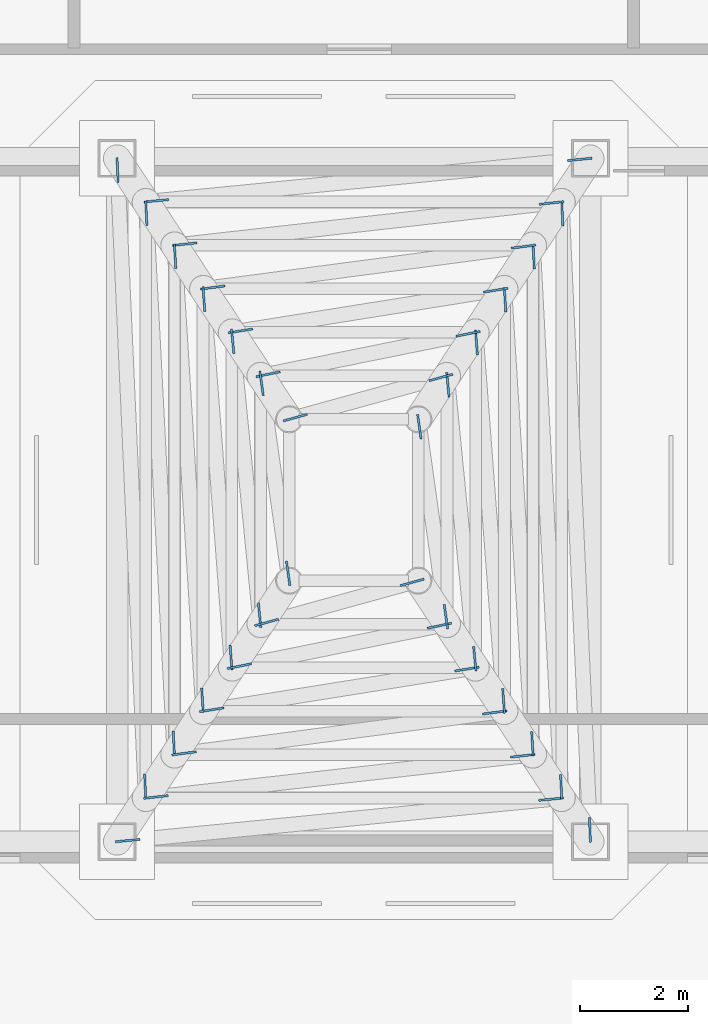
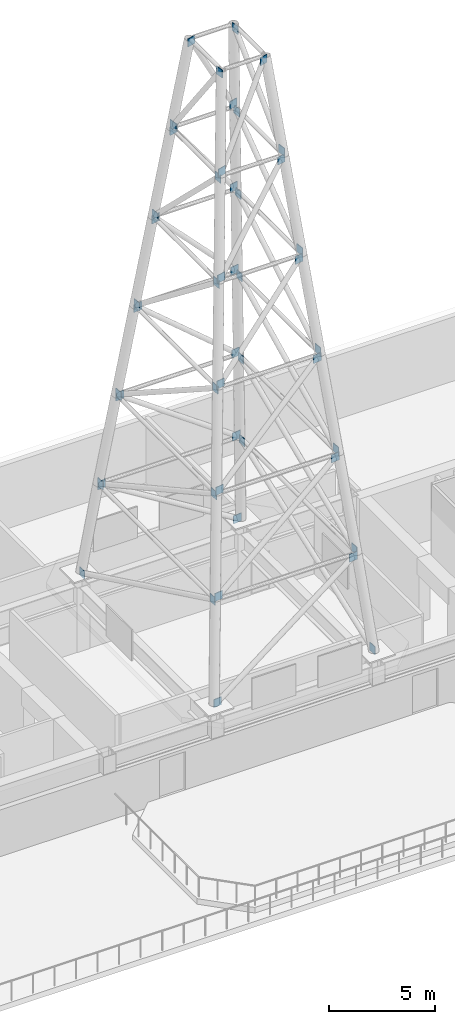
# One storey, part 5 of 7: 48 discrete accessories.
"""IFC4 building model written with IfcOpenShell, lengths in metres."""

from ifc_helpers import new_model, si_unit, direction, frame, origin, origin_2d, place, context, subcontext, project, spatial, rectangle, extrude, material, type_object, element, save


model = new_model("IFC4")

# Units and contexts
model_context = context("Model", 3, precision=1e-05, world=origin(), true_north=direction((0.0, 1.0)))
body_context = subcontext(model_context, "Body", "Model", "MODEL_VIEW")
ifc_project = project(units=[si_unit("LENGTHUNIT", "METRE"), si_unit("AREAUNIT", "SQUARE_METRE"), si_unit("VOLUMEUNIT", "CUBIC_METRE"), si_unit("PLANEANGLEUNIT", "RADIAN"), si_unit("MASSUNIT", "GRAM", prefix="KILO")], contexts=[model_context])

# Site, building, storey
site_placement = place(None, origin())
site = spatial("IfcSite", under=ifc_project, at=site_placement, CompositionType="ELEMENT")
building_placement = place(site_placement, origin())
building = spatial("IfcBuilding", under=site, at=building_placement, Name="Tavrogorsk Clinical Tower", CompositionType="ELEMENT")
storey_placement = place(building_placement, frame((0.0, 0.0, 357.0)))
storey = spatial("IfcBuildingStorey", under=building, at=storey_placement, Name="L83", CompositionType="ELEMENT", Elevation=357.0)

# Discrete accessories
ifc_material = material(Name="Structural steel S440", Category="steel")
discrete_accessory_type = type_object("IfcDiscreteAccessoryType", Name="GussetPlateBracket_25", PredefinedType="BRACKET", material=ifc_material)
for number, where, z_axis, x_axis, name in (
    (1, (-4.2001953125, -6.33056640625, 4.20166015625), (0.0, 0.0, 1.0), (0.995261402206, 0.097235493922, 0.0), "L83 Brace Gusset Plate MAST-T1-F1-A"),
    (2, (3.6669921875, -5.561279296875, 9.3818359375), (0.0, 0.0, 1.0), (0.995261402206, 0.097235493922, 0.0), "L83 Brace Gusset Plate MAST-T1-F1-B"),
    (3, (4.39013671875, -6.132080078125, 4.169921875), (0.0, 0.0, 1.0), (-0.044839922168, 0.998994184858, 0.0), "L83 Brace Gusset Plate MAST-T1-F2-A"),
    (4, (3.87646484375, 5.32373046875, 9.41357421875), (0.0, 0.0, 1.0), (-0.044839922168, 0.998994184858, 0.0), "L83 Brace Gusset Plate MAST-T1-F2-B"),
    (5, (4.2001953125, 6.33056640625, 4.20166015625), (0.0, 0.0, 1.0), (-0.995261402206, -0.097235493922, 0.0), "L83 Brace Gusset Plate MAST-T1-F3-A"),
    (6, (-3.6669921875, 5.561279296875, 9.3818359375), (0.0, 0.0, 1.0), (-0.995261402206, -0.097235493922, 0.0), "L83 Brace Gusset Plate MAST-T1-F3-B"),
    (7, (-4.39013671875, 6.132080078125, 4.169921875), (0.0, 0.0, 1.0), (0.044839922168, -0.998994184858, 0.0), "L83 Brace Gusset Plate MAST-T1-F4-A"),
    (8, (-3.87646484375, -5.32373046875, 9.41357421875), (0.0, 0.0, 1.0), (0.044839922168, -0.998994184858, 0.0), "L83 Brace Gusset Plate MAST-T1-F4-B"),
    (9, (-3.676025390625, -5.520263671875, 9.657470703125), (0.0, 0.0, 1.0), (0.993748449026, 0.11164237573, 0.0), "L83 Brace Gusset Plate MAST-T2-F1-A"),
    (10, (3.142578125, -4.754638671875, 14.8125), (0.0, 0.0, 1.0), (0.993748449026, 0.11164237573, 0.0), "L83 Brace Gusset Plate MAST-T2-F1-B"),
    (11, (3.855712890625, -5.329833984375, 9.62548828125), (0.0, 0.0, 1.0), (-0.051813067891, 0.998656800906, 0.0), "L83 Brace Gusset Plate MAST-T2-F2-A"),
    (12, (3.34423828125, 4.521484375, 14.844482421875), (0.0, 0.0, 1.0), (-0.051813067891, 0.998656800906, 0.0), "L83 Brace Gusset Plate MAST-T2-F2-B"),
    (13, (3.676025390625, 5.520263671875, 9.657470703125), (0.0, 0.0, 1.0), (-0.993748449026, -0.11164237573, 0.0), "L83 Brace Gusset Plate MAST-T2-F3-A"),
    (14, (-3.142578125, 4.754638671875, 14.8125), (0.0, 0.0, 1.0), (-0.993748449026, -0.11164237573, 0.0), "L83 Brace Gusset Plate MAST-T2-F3-B"),
    (15, (-3.855712890625, 5.329833984375, 9.62548828125), (0.0, 0.0, 1.0), (0.051813067891, -0.998656800906, 0.0), "L83 Brace Gusset Plate MAST-T2-F4-A"),
    (16, (-3.34423828125, -4.521484375, 14.844482421875), (0.0, 0.0, 1.0), (0.051813067891, -0.998656800906, 0.0), "L83 Brace Gusset Plate MAST-T2-F4-B"),
    (17, (-3.154541015625, -4.709716796875, 15.115234375), (0.0, 0.0, 1.0), (0.991422065155, 0.130699230003, 0.0), "L83 Brace Gusset Plate MAST-T3-F1-A"),
    (18, (2.621337890625, -3.948486328125, 20.241455078125), (0.0, 0.0, 1.0), (0.991422065155, 0.130699230003, 0.0), "L83 Brace Gusset Plate MAST-T3-F1-B"),
    (19, (3.32080078125, -4.5302734375, 15.084228515625), (0.0, 0.0, 1.0), (-0.061396950581, 0.998113427652, 0.0), "L83 Brace Gusset Plate MAST-T3-F2-A"),
    (20, (2.8125, 3.72216796875, 20.2724609375), (0.0, 0.0, 1.0), (-0.061396950581, 0.998113427652, 0.0), "L83 Brace Gusset Plate MAST-T3-F2-B"),
    (21, (3.154541015625, 4.709716796875, 15.115234375), (0.0, 0.0, 1.0), (-0.991422065155, -0.130699230003, 0.0), "L83 Brace Gusset Plate MAST-T3-F3-A"),
    (22, (-2.621337890625, 3.948486328125, 20.241455078125), (0.0, 0.0, 1.0), (-0.991422065155, -0.130699230003, 0.0), "L83 Brace Gusset Plate MAST-T3-F3-B"),
    (23, (-3.32080078125, 4.5302734375, 15.084228515625), (0.0, 0.0, 1.0), (0.061396950581, -0.998113427652, 0.0), "L83 Brace Gusset Plate MAST-T3-F4-A"),
    (24, (-2.8125, -3.72216796875, 20.2724609375), (0.0, 0.0, 1.0), (0.061396950581, -0.998113427652, 0.0), "L83 Brace Gusset Plate MAST-T3-F4-B"),
    (25, (-2.637451171875, -3.899169921875, 20.57470703125), (0.0, 0.0, 1.0), (0.987523981276, 0.157468683888, 0.0), "L83 Brace Gusset Plate MAST-T4-F1-A"),
    (26, (2.104248046875, -3.142578125, 25.668701171875), (0.0, 0.0, 1.0), (0.987523981276, 0.157468683888, 0.0), "L83 Brace Gusset Plate MAST-T4-F1-B"),
    (27, (2.78564453125, -3.7353515625, 20.546630859375), (0.0, 0.0, 1.0), (-0.07550084144, 0.997145738065, 0.0), "L83 Brace Gusset Plate MAST-T4-F2-A"),
    (28, (2.281005859375, 2.92724609375, 25.69677734375), (0.0, 0.0, 1.0), (-0.07550084144, 0.997145738065, 0.0), "L83 Brace Gusset Plate MAST-T4-F2-B"),
    (29, (2.637451171875, 3.899169921875, 20.57470703125), (0.0, 0.0, 1.0), (-0.987523981276, -0.157468683888, 0.0), "L83 Brace Gusset Plate MAST-T4-F3-A"),
    (30, (-2.104248046875, 3.142578125, 25.668701171875), (0.0, 0.0, 1.0), (-0.987523981276, -0.157468683888, 0.0), "L83 Brace Gusset Plate MAST-T4-F3-B"),
    (31, (-2.78564453125, 3.7353515625, 20.546630859375), (0.0, 0.0, 1.0), (0.07550084144, -0.997145738065, 0.0), "L83 Brace Gusset Plate MAST-T4-F4-A"),
    (32, (-2.281005859375, -2.92724609375, 25.69677734375), (0.0, 0.0, 1.0), (0.07550084144, -0.997145738065, 0.0), "L83 Brace Gusset Plate MAST-T4-F4-B"),
    (33, (-2.12548828125, -3.088134765625, 26.035400390625), (0.0, 0.0, 1.0), (0.980167547112, 0.198170582048, 0.0), "L83 Brace Gusset Plate MAST-T5-F1-A"),
    (34, (1.59228515625, -2.3369140625, 31.0947265625), (0.0, 0.0, 1.0), (0.980167547112, 0.198170582048, 0.0), "L83 Brace Gusset Plate MAST-T5-F1-B"),
    (35, (2.25, -2.94775390625, 26.012939453125), (0.0, 0.0, 1.0), (-0.097930293706, 0.995193276492, 0.0), "L83 Brace Gusset Plate MAST-T5-F2-A"),
    (36, (1.75, 2.139404296875, 31.1171875), (0.0, 0.0, 1.0), (-0.097930293706, 0.995193276492, 0.0), "L83 Brace Gusset Plate MAST-T5-F2-B"),
    (37, (2.12548828125, 3.088134765625, 26.035400390625), (0.0, 0.0, 1.0), (-0.980167547112, -0.198170582048, 0.0), "L83 Brace Gusset Plate MAST-T5-F3-A"),
    (38, (-1.59228515625, 2.3369140625, 31.0947265625), (0.0, 0.0, 1.0), (-0.980167547112, -0.198170582048, 0.0), "L83 Brace Gusset Plate MAST-T5-F3-B"),
    (39, (-2.25, 2.94775390625, 26.012939453125), (0.0, 0.0, 1.0), (0.097930293706, -0.995193276492, 0.0), "L83 Brace Gusset Plate MAST-T5-F4-A"),
    (40, (-1.75, -2.139404296875, 31.1171875), (0.0, 0.0, 1.0), (0.097930293706, -0.995193276492, 0.0), "L83 Brace Gusset Plate MAST-T5-F4-B"),
    (41, (-1.620361328125, -2.277099609375, 31.49609375), (0.0, 0.0, 1.0), (0.964049041264, 0.265724379832, 0.0), "L83 Brace Gusset Plate MAST-T6-F1-A"),
    (42, (1.087158203125, -1.531005859375, 36.5205078125), (0.0, 0.0, 1.0), (0.964049041264, 0.265724379832, 0.0), "L83 Brace Gusset Plate MAST-T6-F1-B"),
    (43, (1.714111328125, -2.171142578125, 31.482666015625), (0.0, 0.0, 1.0), (-0.138654578758, 0.99034080386, 0.0), "L83 Brace Gusset Plate MAST-T6-F2-A"),
    (44, (1.21923828125, 1.36279296875, 36.533935546875), (0.0, 0.0, 1.0), (-0.138654578758, 0.99034080386, 0.0), "L83 Brace Gusset Plate MAST-T6-F2-B"),
    (45, (1.620361328125, 2.277099609375, 31.49609375), (0.0, 0.0, 1.0), (-0.964049041264, -0.265724379832, 0.0), "L83 Brace Gusset Plate MAST-T6-F3-A"),
    (46, (-1.087158203125, 1.531005859375, 36.5205078125), (0.0, 0.0, 1.0), (-0.964049041264, -0.265724379832, 0.0), "L83 Brace Gusset Plate MAST-T6-F3-B"),
    (47, (-1.714111328125, 2.171142578125, 31.482666015625), (0.0, 0.0, 1.0), (0.138654578758, -0.99034080386, 0.0), "L83 Brace Gusset Plate MAST-T6-F4-A"),
    (48, (-1.21923828125, -1.36279296875, 36.533935546875), (0.0, 0.0, 1.0), (0.138654578758, -0.99034080386, 0.0), "L83 Brace Gusset Plate MAST-T6-F4-B"),
):
    element("IfcDiscreteAccessory", number, at=place(storey_placement, frame(where, z_axis=z_axis, x_axis=x_axis)), inside=storey, type_object=discrete_accessory_type, Name=name, PredefinedType="BRACKET", context=body_context, shape_type="SweptSolid", body=[
        extrude(rectangle(XDim=0.4599609375, YDim=0.0400390625, at=origin_2d()), origin(), (0.0, 0.0, 1.0), 0.4599609375),
    ])

save(model, "model.ifc")
